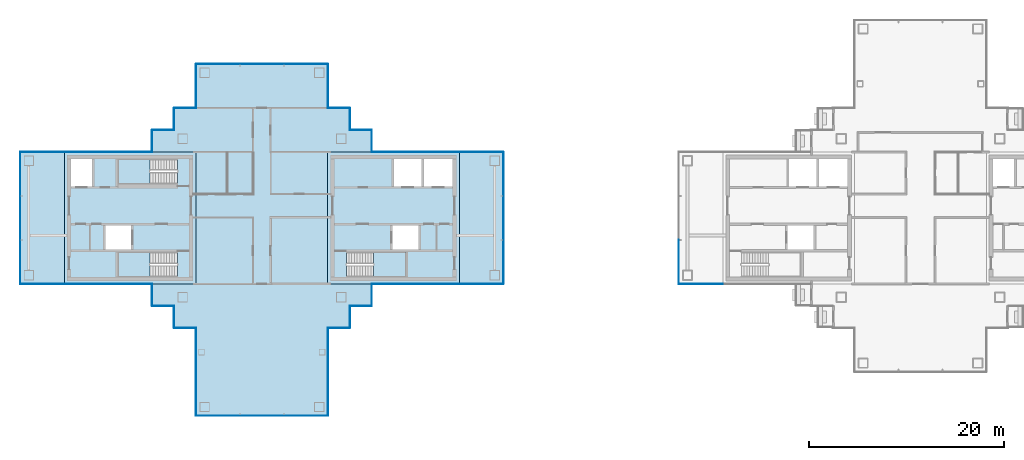
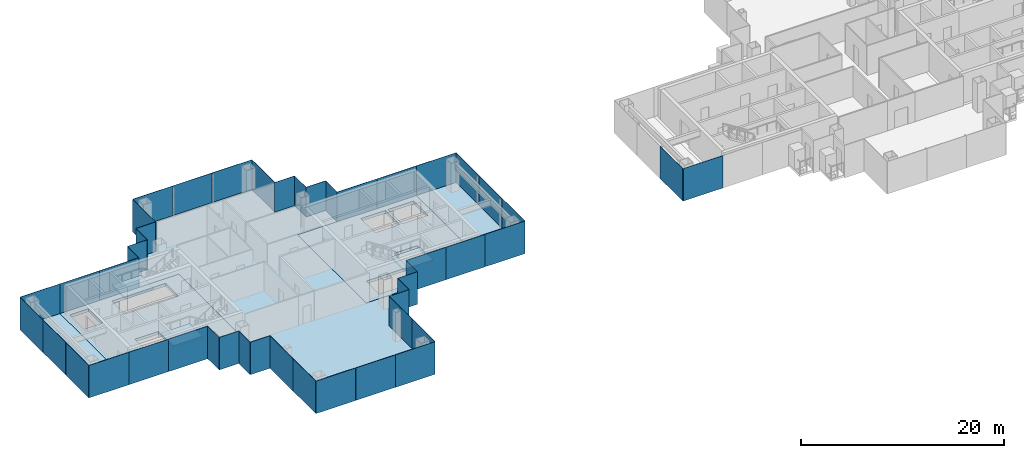
# One storey, part 7 of 16: 48 plates, 8 slabs, 25 elements without a shape of their own.
"""IFC4 building model written with IfcOpenShell, lengths in metres."""

from ifc_helpers import new_model, si_unit, direction, frame, origin, origin_2d, place, context, subcontext, project, spatial, polyline, rectangle, outline, extrude, material, layer, layer_set, type_object, element, aggregate, save


model = new_model("IFC4")

# Units and contexts
model_context = context("Model", 3, precision=1e-05, world=origin(), true_north=direction((0.0, 1.0)))
body_context = subcontext(model_context, "Body", "Model", "MODEL_VIEW")
ifc_project = project(units=[si_unit("LENGTHUNIT", "METRE"), si_unit("AREAUNIT", "SQUARE_METRE"), si_unit("VOLUMEUNIT", "CUBIC_METRE"), si_unit("PLANEANGLEUNIT", "RADIAN"), si_unit("MASSUNIT", "GRAM", prefix="KILO")], contexts=[model_context])

# Site, building, storey
site_placement = place(None, origin())
site = spatial("IfcSite", under=ifc_project, at=site_placement, CompositionType="ELEMENT")
building_placement = place(site_placement, origin())
building = spatial("IfcBuilding", under=site, at=building_placement, Name="Shamsa Quay Exchange Towers", CompositionType="ELEMENT")
storey_placement = place(building_placement, frame((0.0, 0.0, 213.89990234375)))
storey = spatial("IfcBuildingStorey", under=building, at=storey_placement, Name="L51", CompositionType="ELEMENT", Elevation=213.89990234375)

# Slabs
ifc_material_1 = material(Name="Concrete C50/60", Category="concrete")
ifc_layer_1 = layer(ifc_material_1, 0.35009765625)
ifc_layer_set_1 = layer_set([ifc_layer_1], Name="CORE FLOOR 350 C50/60")
slab_type_1 = type_object("IfcSlabType", Name="CORE FLOOR 350 C50/60", PredefinedType="FLOOR", material=ifc_layer_set_1)
slab_1_placement = place(storey_placement, frame((0.0, 0.0, -0.349853515625)))
element("IfcSlab", 1, at=slab_1_placement, inside=storey, type_object=slab_type_1, Name="Core floor T1A", PredefinedType="FLOOR", context=body_context, shape_type="SweptSolid", body=[
    extrude(outline(polyline([(-27.0, -6.75), (-13.5, -6.75), (-13.5, 6.75), (-27.0, 6.75), (-27.0, -6.75)]), holes=[polyline([(-25.099365234375, -6.050048828125), (-25.099365234375, -3.5), (-19.0, -3.5), (-19.0, -6.050048828125), (-25.099365234375, -6.050048828125)]), polyline([(-20.199951171875, 3.25), (-20.199951171875, 6.050048828125), (-17.39990234375, 6.050048828125), (-17.39990234375, 3.25), (-20.199951171875, 3.25)]), polyline([(-17.14990234375, 3.25), (-17.14990234375, 6.050048828125), (-14.199951171875, 6.050048828125), (-14.199951171875, 3.25), (-17.14990234375, 3.25)]), polyline([(-20.35009765625, -3.25), (-20.35009765625, -0.75), (-17.699951171875, -0.75), (-17.699951171875, -3.25), (-20.35009765625, -3.25)])]), origin(), (0.0, 0.0, 1.0), 0.349853515625),
])
slab_2_placement = place(storey_placement, frame((0.0, 0.0, -0.349853515625)))
element("IfcSlab", 2, at=slab_2_placement, inside=storey, type_object=slab_type_1, Name="Core floor T1B", PredefinedType="FLOOR", context=body_context, shape_type="SweptSolid", body=[
    extrude(outline(polyline([(-40.5, -6.75), (-40.5, 6.75), (-54.0, 6.75), (-54.0, -6.75), (-40.5, -6.75)]), holes=[polyline([(-42.400634765625, -3.5), (-42.400634765625, -6.050048828125), (-48.5, -6.050048828125), (-48.5, -3.5), (-42.400634765625, -3.5)]), polyline([(-42.400634765625, 6.050048828125), (-42.400634765625, 3.5), (-48.5, 3.5), (-48.5, 6.050048828125), (-42.400634765625, 6.050048828125)]), polyline([(-51.14990234375, 3.25), (-53.300048828125, 3.25), (-53.300048828125, 6.050048828125), (-51.14990234375, 6.050048828125), (-51.14990234375, 3.25)]), polyline([(-47.14990234375, -3.25), (-49.800048828125, -3.25), (-49.800048828125, -0.75), (-47.14990234375, -0.75), (-47.14990234375, -3.25)])]), origin(), (0.0, 0.0, 1.0), 0.349853515625),
])

# Stair, slab
ifc_material_2 = material(Name="Concrete C40/50", Category="concrete")
stair_type = type_object("IfcStairType", Name="EXIT STAIR 22 RISERS 177 MM", PredefinedType="HALF_TURN_STAIR", material=ifc_material_2)
stair_1_placement = place(storey_placement, origin())
stair_1 = element("IfcStair", 3, at=stair_1_placement, inside=storey, type_object=stair_type, Name="L51 Exit stair ST1", PredefinedType="HALF_TURN_STAIR")
ifc_layer_2 = layer(ifc_material_2, 0.199951171875)
ifc_layer_set_2 = layer_set([ifc_layer_2], Name="CORE STAIR LANDING")
slab_type_2 = type_object("IfcSlabType", Name="CORE STAIR LANDING", PredefinedType="LANDING", material=ifc_layer_set_2)
slab_3_placement = place(storey_placement, frame((0.0, 0.0, 1.75)))
slab_3 = element("IfcSlab", 4, at=slab_3_placement, type_object=slab_type_2, Name="ST1 landing 1", PredefinedType="LANDING", context=body_context, shape_type="SweptSolid", body=[
    extrude(outline(polyline([(-22.300048828125, -6.050048828125), (-19.0, -6.050048828125), (-19.0, -3.5), (-22.300048828125, -3.5), (-22.300048828125, -6.050048828125)])), origin(), (0.0, 0.0, 1.0), 0.2001953125),
])
aggregate(stair_1, [slab_3])

stair_2_placement = place(storey_placement, origin())
stair_2 = element("IfcStair", 5, at=stair_2_placement, inside=storey, type_object=stair_type, Name="L51 Exit stair ST2", PredefinedType="HALF_TURN_STAIR")
slab_4_placement = place(storey_placement, frame((0.0, 0.0, 1.75)))
slab_4 = element("IfcSlab", 6, at=slab_4_placement, type_object=slab_type_2, Name="ST2 landing 1", PredefinedType="LANDING", context=body_context, shape_type="SweptSolid", body=[
    extrude(outline(polyline([(-45.199951171875, -3.5), (-48.5, -3.5), (-48.5, -6.050048828125), (-45.199951171875, -6.050048828125), (-45.199951171875, -3.5)])), origin(), (0.0, 0.0, 1.0), 0.2001953125),
])
aggregate(stair_2, [slab_4])

stair_3_placement = place(storey_placement, origin())
stair_3 = element("IfcStair", 7, at=stair_3_placement, inside=storey, type_object=stair_type, Name="L51 Exit stair ST3", PredefinedType="HALF_TURN_STAIR")
slab_5_placement = place(storey_placement, frame((0.0, 0.0, 1.75)))
slab_5 = element("IfcSlab", 8, at=slab_5_placement, type_object=slab_type_2, Name="ST3 landing 1", PredefinedType="LANDING", context=body_context, shape_type="SweptSolid", body=[
    extrude(outline(polyline([(-45.199951171875, 6.050048828125), (-48.5, 6.050048828125), (-48.5, 3.5), (-45.199951171875, 3.5), (-45.199951171875, 6.050048828125)])), origin(), (0.0, 0.0, 1.0), 0.2001953125),
])
aggregate(stair_3, [slab_5])

# Curtain wall, plates
ifc_material_3 = material(Name="Aluminium EN AW-6063 T6, black anodised", Category="aluminium")
ifc_layer_3 = layer(ifc_material_3, 0.280029296875)
ifc_layer_set_3 = layer_set([ifc_layer_3], Name="CW-1 UNITISED VISION GLASS")
curtain_wall_type_1 = type_object("IfcCurtainWallType", Name="CW-1 UNITISED VISION GLASS", PredefinedType="NOTDEFINED", material=ifc_layer_set_3)
curtain_wall_1_placement = place(storey_placement, origin())
curtain_wall_1 = element("IfcCurtainWall", 9, at=curtain_wall_1_placement, inside=storey, type_object=curtain_wall_type_1, Name="CW1 T1-FLK-V-W L51", PredefinedType="NOTDEFINED")
ifc_material_4 = material(Name="Glass, laminated, dark tinted", Category="glass")
ifc_layer_4 = layer(ifc_material_4, 0.0400390625)
ifc_layer_set_4 = layer_set([ifc_layer_4], Name="CW-1 VISION GLASS 40")
plate_type_1 = type_object("IfcPlateType", Name="CW-1 VISION GLASS 40", PredefinedType="CURTAIN_PANEL", material=ifc_layer_set_4)
plate_1_placement = place(storey_placement, frame((-40.52001953125, -13.52587890625, -0.349853515625), z_axis=(0.0, 0.0, 1.0), x_axis=(0.0, -1.0, 0.0)))
plate_1 = element("IfcPlate", 10, at=plate_1_placement, type_object=plate_type_1, Name="CW1 glass panel", PredefinedType="CURTAIN_PANEL", context=body_context, shape_type="SweptSolid", body=[
    extrude(rectangle(XDim=4.47607421875, YDim=0.0400390625, at=origin_2d()), origin(), (0.0, 0.0, 1.0), 3.89990234375),
])
plate_2_placement = place(storey_placement, frame((-40.52001953125, -18.011962890625, -0.349853515625), z_axis=(0.0, 0.0, 1.0), x_axis=(0.0, -1.0, 0.0)))
plate_2 = element("IfcPlate", 11, at=plate_2_placement, type_object=plate_type_1, Name="CW1 glass panel", PredefinedType="CURTAIN_PANEL", context=body_context, shape_type="SweptSolid", body=[
    extrude(rectangle(XDim=4.47607421875, YDim=0.0400390625, at=origin_2d()), origin(), (0.0, 0.0, 1.0), 3.89990234375),
])
aggregate(curtain_wall_1, [plate_1, plate_2])

curtain_wall_2_placement = place(storey_placement, origin())
curtain_wall_2 = element("IfcCurtainWall", 12, at=curtain_wall_2_placement, inside=storey, type_object=curtain_wall_type_1, Name="CW1 T1-END-V- L51", PredefinedType="NOTDEFINED")
plate_3_placement = place(storey_placement, frame((-38.25244140625, -20.27001953125, -0.349853515625)))
plate_3 = element("IfcPlate", 13, at=plate_3_placement, type_object=plate_type_1, Name="CW1 glass panel", PredefinedType="CURTAIN_PANEL", context=body_context, shape_type="SweptSolid", body=[
    extrude(rectangle(XDim=4.4951171875, YDim=0.0400390625, at=origin_2d()), origin(), (0.0, 0.0, 1.0), 3.89990234375),
])
plate_4_placement = place(storey_placement, frame((-33.75, -20.27001953125, -0.349853515625)))
plate_4 = element("IfcPlate", 14, at=plate_4_placement, type_object=plate_type_1, Name="CW1 glass panel", PredefinedType="CURTAIN_PANEL", context=body_context, shape_type="SweptSolid", body=[
    extrude(rectangle(XDim=4.489990234375, YDim=0.0400390625, at=origin_2d()), origin(), (0.0, 0.0, 1.0), 3.89990234375),
])
plate_5_placement = place(storey_placement, frame((-29.24755859375, -20.27001953125, -0.349853515625)))
plate_5 = element("IfcPlate", 15, at=plate_5_placement, type_object=plate_type_1, Name="CW1 glass panel", PredefinedType="CURTAIN_PANEL", context=body_context, shape_type="SweptSolid", body=[
    extrude(rectangle(XDim=4.4951171875, YDim=0.0400390625, at=origin_2d()), origin(), (0.0, 0.0, 1.0), 3.89990234375),
])
aggregate(curtain_wall_2, [plate_3, plate_4, plate_5])

curtain_wall_3_placement = place(storey_placement, origin())
curtain_wall_3 = element("IfcCurtainWall", 16, at=curtain_wall_3_placement, inside=storey, type_object=curtain_wall_type_1, Name="CW1 T1-FLK-V-E L51", PredefinedType="NOTDEFINED")
plate_6_placement = place(storey_placement, frame((-26.97998046875, -18.00244140625, -0.349853515625), z_axis=(0.0, 0.0, 1.0), x_axis=(0.0, 1.0, 0.0)))
plate_6 = element("IfcPlate", 17, at=plate_6_placement, type_object=plate_type_1, Name="CW1 glass panel", PredefinedType="CURTAIN_PANEL", context=body_context, shape_type="SweptSolid", body=[
    extrude(rectangle(XDim=4.4951171875, YDim=0.0400390625, at=origin_2d()), origin(), (0.0, 0.0, 1.0), 3.89990234375),
])
plate_7_placement = place(storey_placement, frame((-26.97998046875, -13.49755859375, -0.349853515625), z_axis=(0.0, 0.0, 1.0), x_axis=(0.0, 1.0, 0.0)))
plate_7 = element("IfcPlate", 18, at=plate_7_placement, type_object=plate_type_1, Name="CW1 glass panel", PredefinedType="CURTAIN_PANEL", context=body_context, shape_type="SweptSolid", body=[
    extrude(rectangle(XDim=4.4951171875, YDim=0.0400390625, at=origin_2d()), origin(), (0.0, 0.0, 1.0), 3.89990234375),
])
aggregate(curtain_wall_3, [plate_6, plate_7])

# Curtain wall, plate
curtain_wall_4_placement = place(storey_placement, origin())
curtain_wall_4 = element("IfcCurtainWall", 19, at=curtain_wall_4_placement, inside=storey, type_object=curtain_wall_type_1, Name="CW1 T1-FLK-U+S L51", PredefinedType="NOTDEFINED")
plate_8_placement = place(storey_placement, frame((-11.25, -6.77001953125, -0.349853515625)))
plate_8 = element("IfcPlate", 20, at=plate_8_placement, type_object=plate_type_1, Name="CW1 glass panel", PredefinedType="CURTAIN_PANEL", context=body_context, shape_type="SweptSolid", body=[
    extrude(rectangle(XDim=4.5, YDim=0.0400390625, at=origin_2d()), origin(), (0.0, 0.0, 1.0), 3.89990234375),
])
aggregate(curtain_wall_4, [plate_8])

# Curtain wall, plates
curtain_wall_5_placement = place(storey_placement, origin())
curtain_wall_5 = element("IfcCurtainWall", 21, at=curtain_wall_5_placement, inside=storey, type_object=curtain_wall_type_1, Name="CW1 T1-END-U+ L51", PredefinedType="NOTDEFINED")
plate_9_placement = place(storey_placement, frame((-8.97998046875, -4.50244140625, -0.349853515625), z_axis=(0.0, 0.0, 1.0), x_axis=(0.0, 1.0, 0.0)))
plate_9 = element("IfcPlate", 22, at=plate_9_placement, type_object=plate_type_1, Name="CW1 glass panel", PredefinedType="CURTAIN_PANEL", context=body_context, shape_type="SweptSolid", body=[
    extrude(rectangle(XDim=4.4951171875, YDim=0.0400390625, at=origin_2d()), origin(), (0.0, 0.0, 1.0), 3.89990234375),
])
plate_10_placement = place(storey_placement, frame((-8.97998046875, 0.0, -0.349853515625), z_axis=(0.0, 0.0, 1.0), x_axis=(0.0, 1.0, 0.0)))
plate_10 = element("IfcPlate", 23, at=plate_10_placement, type_object=plate_type_1, Name="CW1 glass panel", PredefinedType="CURTAIN_PANEL", context=body_context, shape_type="SweptSolid", body=[
    extrude(rectangle(XDim=4.489990234375, YDim=0.0400390625, at=origin_2d()), origin(), (0.0, 0.0, 1.0), 3.89990234375),
])
plate_11_placement = place(storey_placement, frame((-8.97998046875, 4.50244140625, -0.349853515625), z_axis=(0.0, 0.0, 1.0), x_axis=(0.0, 1.0, 0.0)))
plate_11 = element("IfcPlate", 24, at=plate_11_placement, type_object=plate_type_1, Name="CW1 glass panel", PredefinedType="CURTAIN_PANEL", context=body_context, shape_type="SweptSolid", body=[
    extrude(rectangle(XDim=4.4951171875, YDim=0.0400390625, at=origin_2d()), origin(), (0.0, 0.0, 1.0), 3.89990234375),
])
aggregate(curtain_wall_5, [plate_9, plate_10, plate_11])

# Curtain wall, plate
curtain_wall_6_placement = place(storey_placement, origin())
curtain_wall_6 = element("IfcCurtainWall", 25, at=curtain_wall_6_placement, inside=storey, type_object=curtain_wall_type_1, Name="CW1 T1-FLK-U+N L51", PredefinedType="NOTDEFINED")
plate_12_placement = place(storey_placement, frame((-11.25, 6.77001953125, -0.349853515625), z_axis=(0.0, 0.0, 1.0), x_axis=(-1.0, 0.0, 0.0)))
plate_12 = element("IfcPlate", 26, at=plate_12_placement, type_object=plate_type_1, Name="CW1 glass panel", PredefinedType="CURTAIN_PANEL", context=body_context, shape_type="SweptSolid", body=[
    extrude(rectangle(XDim=4.5, YDim=0.0400390625, at=origin_2d()), origin(), (0.0, 0.0, 1.0), 3.89990234375),
])
aggregate(curtain_wall_6, [plate_12])

curtain_wall_7_placement = place(storey_placement, origin())
curtain_wall_7 = element("IfcCurtainWall", 27, at=curtain_wall_7_placement, inside=storey, type_object=curtain_wall_type_1, Name="CW1 T1-FLK-V+E L51", PredefinedType="NOTDEFINED")
plate_13_placement = place(storey_placement, frame((-26.97998046875, 13.51904296875, -0.349853515625), z_axis=(0.0, 0.0, 1.0), x_axis=(0.0, 1.0, 0.0)))
plate_13 = element("IfcPlate", 28, at=plate_13_placement, type_object=plate_type_1, Name="CW1 glass panel", PredefinedType="CURTAIN_PANEL", context=body_context, shape_type="SweptSolid", body=[
    extrude(rectangle(XDim=4.4619140625, YDim=0.0400390625, at=origin_2d()), origin(), (0.0, 0.0, 1.0), 3.89990234375),
])
aggregate(curtain_wall_7, [plate_13])

# Curtain wall, plates
curtain_wall_8_placement = place(storey_placement, origin())
curtain_wall_8 = element("IfcCurtainWall", 29, at=curtain_wall_8_placement, inside=storey, type_object=curtain_wall_type_1, Name="CW1 T1-END-V+ L51", PredefinedType="NOTDEFINED")
plate_14_placement = place(storey_placement, frame((-29.24755859375, 15.77001953125, -0.349853515625), z_axis=(0.0, 0.0, 1.0), x_axis=(-1.0, 0.0, 0.0)))
plate_14 = element("IfcPlate", 30, at=plate_14_placement, type_object=plate_type_1, Name="CW1 glass panel", PredefinedType="CURTAIN_PANEL", context=body_context, shape_type="SweptSolid", body=[
    extrude(rectangle(XDim=4.4951171875, YDim=0.0400390625, at=origin_2d()), origin(), (0.0, 0.0, 1.0), 3.89990234375),
])
plate_15_placement = place(storey_placement, frame((-33.75, 15.77001953125, -0.349853515625), z_axis=(0.0, 0.0, 1.0), x_axis=(-1.0, 0.0, 0.0)))
plate_15 = element("IfcPlate", 31, at=plate_15_placement, type_object=plate_type_1, Name="CW1 glass panel", PredefinedType="CURTAIN_PANEL", context=body_context, shape_type="SweptSolid", body=[
    extrude(rectangle(XDim=4.489990234375, YDim=0.0400390625, at=origin_2d()), origin(), (0.0, 0.0, 1.0), 3.89990234375),
])
plate_16_placement = place(storey_placement, frame((-38.25244140625, 15.77001953125, -0.349853515625), z_axis=(0.0, 0.0, 1.0), x_axis=(-1.0, 0.0, 0.0)))
plate_16 = element("IfcPlate", 32, at=plate_16_placement, type_object=plate_type_1, Name="CW1 glass panel", PredefinedType="CURTAIN_PANEL", context=body_context, shape_type="SweptSolid", body=[
    extrude(rectangle(XDim=4.4951171875, YDim=0.0400390625, at=origin_2d()), origin(), (0.0, 0.0, 1.0), 3.89990234375),
])
aggregate(curtain_wall_8, [plate_14, plate_15, plate_16])

# Curtain wall, plate
curtain_wall_9_placement = place(storey_placement, origin())
curtain_wall_9 = element("IfcCurtainWall", 33, at=curtain_wall_9_placement, inside=storey, type_object=curtain_wall_type_1, Name="CW1 T1-FLK-V+W L51", PredefinedType="NOTDEFINED")
plate_17_placement = place(storey_placement, frame((-40.52001953125, 13.5, -0.349853515625), z_axis=(0.0, 0.0, 1.0), x_axis=(0.0, -1.0, 0.0)))
plate_17 = element("IfcPlate", 34, at=plate_17_placement, type_object=plate_type_1, Name="CW1 glass panel", PredefinedType="CURTAIN_PANEL", context=body_context, shape_type="SweptSolid", body=[
    extrude(rectangle(XDim=4.5, YDim=0.0400390625, at=origin_2d()), origin(), (0.0, 0.0, 1.0), 3.89990234375),
])
aggregate(curtain_wall_9, [plate_17])

curtain_wall_10_placement = place(storey_placement, origin())
curtain_wall_10 = element("IfcCurtainWall", 35, at=curtain_wall_10_placement, inside=storey, type_object=curtain_wall_type_1, Name="CW1 T1-FLK-U-N L51", PredefinedType="NOTDEFINED")
plate_18_placement = place(storey_placement, frame((-56.25, 6.77001953125, -0.349853515625), z_axis=(0.0, 0.0, 1.0), x_axis=(-1.0, 0.0, 0.0)))
plate_18 = element("IfcPlate", 36, at=plate_18_placement, type_object=plate_type_1, Name="CW1 glass panel", PredefinedType="CURTAIN_PANEL", context=body_context, shape_type="SweptSolid", body=[
    extrude(rectangle(XDim=4.5, YDim=0.0400390625, at=origin_2d()), origin(), (0.0, 0.0, 1.0), 3.89990234375),
])
aggregate(curtain_wall_10, [plate_18])

# Curtain wall, plates
curtain_wall_11_placement = place(storey_placement, origin())
curtain_wall_11 = element("IfcCurtainWall", 37, at=curtain_wall_11_placement, inside=storey, type_object=curtain_wall_type_1, Name="CW1 T1-END-U- L51", PredefinedType="NOTDEFINED")
plate_19_placement = place(storey_placement, frame((-58.52001953125, 4.50244140625, -0.349853515625), z_axis=(0.0, 0.0, 1.0), x_axis=(0.0, -1.0, 0.0)))
plate_19 = element("IfcPlate", 38, at=plate_19_placement, type_object=plate_type_1, Name="CW1 glass panel", PredefinedType="CURTAIN_PANEL", context=body_context, shape_type="SweptSolid", body=[
    extrude(rectangle(XDim=4.4951171875, YDim=0.0400390625, at=origin_2d()), origin(), (0.0, 0.0, 1.0), 3.89990234375),
])
plate_20_placement = place(storey_placement, frame((-58.52001953125, 0.0, -0.349853515625), z_axis=(0.0, 0.0, 1.0), x_axis=(0.0, -1.0, 0.0)))
plate_20 = element("IfcPlate", 39, at=plate_20_placement, type_object=plate_type_1, Name="CW1 glass panel", PredefinedType="CURTAIN_PANEL", context=body_context, shape_type="SweptSolid", body=[
    extrude(rectangle(XDim=4.489990234375, YDim=0.0400390625, at=origin_2d()), origin(), (0.0, 0.0, 1.0), 3.89990234375),
])
plate_21_placement = place(storey_placement, frame((-58.52001953125, -4.50244140625, -0.349853515625), z_axis=(0.0, 0.0, 1.0), x_axis=(0.0, -1.0, 0.0)))
plate_21 = element("IfcPlate", 40, at=plate_21_placement, type_object=plate_type_1, Name="CW1 glass panel", PredefinedType="CURTAIN_PANEL", context=body_context, shape_type="SweptSolid", body=[
    extrude(rectangle(XDim=4.4951171875, YDim=0.0400390625, at=origin_2d()), origin(), (0.0, 0.0, 1.0), 3.89990234375),
])
aggregate(curtain_wall_11, [plate_19, plate_20, plate_21])

# Curtain wall, plate
curtain_wall_12_placement = place(storey_placement, origin())
curtain_wall_12 = element("IfcCurtainWall", 41, at=curtain_wall_12_placement, inside=storey, type_object=curtain_wall_type_1, Name="CW1 T1-FLK-U-S L51", PredefinedType="NOTDEFINED")
plate_22_placement = place(storey_placement, frame((-56.25, -6.77001953125, -0.349853515625)))
plate_22 = element("IfcPlate", 42, at=plate_22_placement, type_object=plate_type_1, Name="CW1 glass panel", PredefinedType="CURTAIN_PANEL", context=body_context, shape_type="SweptSolid", body=[
    extrude(rectangle(XDim=4.5, YDim=0.0400390625, at=origin_2d()), origin(), (0.0, 0.0, 1.0), 3.89990234375),
])
aggregate(curtain_wall_12, [plate_22])

curtain_wall_13_placement = place(storey_placement, origin())
curtain_wall_13 = element("IfcCurtainWall", 43, at=curtain_wall_13_placement, inside=storey, type_object=curtain_wall_type_1, Name="CW1 T2-END-V+ L51", PredefinedType="NOTDEFINED")
plate_23_placement = place(storey_placement, frame((8.97998046875, -4.50244140625, -0.349853515625), z_axis=(0.0, 0.0, 1.0), x_axis=(0.0, -1.0, 0.0)))
plate_23 = element("IfcPlate", 44, at=plate_23_placement, type_object=plate_type_1, Name="CW1 glass panel", PredefinedType="CURTAIN_PANEL", context=body_context, shape_type="SweptSolid", body=[
    extrude(rectangle(XDim=4.4951171875, YDim=0.0400390625, at=origin_2d()), origin(), (0.0, 0.0, 1.0), 3.89990234375),
])
aggregate(curtain_wall_13, [plate_23])

curtain_wall_14_placement = place(storey_placement, origin())
curtain_wall_14 = element("IfcCurtainWall", 45, at=curtain_wall_14_placement, inside=storey, type_object=curtain_wall_type_1, Name="CW1 T2-FLK-V+W L51", PredefinedType="NOTDEFINED")
plate_24_placement = place(storey_placement, frame((11.25, -6.77001953125, -0.349853515625)))
plate_24 = element("IfcPlate", 46, at=plate_24_placement, type_object=plate_type_1, Name="CW1 glass panel", PredefinedType="CURTAIN_PANEL", context=body_context, shape_type="SweptSolid", body=[
    extrude(rectangle(XDim=4.5, YDim=0.0400390625, at=origin_2d()), origin(), (0.0, 0.0, 1.0), 3.89990234375),
])
aggregate(curtain_wall_14, [plate_24])

# Curtain wall, plates
ifc_layer_5 = layer(ifc_material_3, 0.303955078125)
ifc_layer_set_5 = layer_set([ifc_layer_5], Name="CW-2 UNITISED OPAQUE SPANDREL GLASS")
curtain_wall_type_2 = type_object("IfcCurtainWallType", Name="CW-2 UNITISED OPAQUE SPANDREL GLASS", PredefinedType="NOTDEFINED", material=ifc_layer_set_5)
curtain_wall_15_placement = place(storey_placement, origin())
curtain_wall_15 = element("IfcCurtainWall", 47, at=curtain_wall_15_placement, inside=storey, type_object=curtain_wall_type_2, Name="CW2 T1-FLK-U+S L51", PredefinedType="NOTDEFINED")
ifc_material_5 = material(Name="Glass, laminated, black enamelled opaque", Category="glass")
ifc_layer_6 = layer(ifc_material_5, 0.0439453125)
ifc_layer_set_6 = layer_set([ifc_layer_6], Name="CW-2 SPANDREL GLASS 44")
plate_type_2 = type_object("IfcPlateType", Name="CW-2 SPANDREL GLASS 44", PredefinedType="CURTAIN_PANEL", material=ifc_layer_set_6)
plate_25_placement = place(storey_placement, frame((-20.22412109375, -6.77197265625, -0.349853515625)))
plate_25 = element("IfcPlate", 48, at=plate_25_placement, type_object=plate_type_2, Name="CW2 glass panel", PredefinedType="CURTAIN_PANEL", context=body_context, shape_type="SweptSolid", body=[
    extrude(rectangle(XDim=4.47607421875, YDim=0.0439453125, at=origin_2d()), origin(), (0.0, 0.0, 1.0), 3.89990234375),
])
plate_26_placement = place(storey_placement, frame((-15.738037109375, -6.77197265625, -0.349853515625)))
plate_26 = element("IfcPlate", 49, at=plate_26_placement, type_object=plate_type_2, Name="CW2 glass panel", PredefinedType="CURTAIN_PANEL", context=body_context, shape_type="SweptSolid", body=[
    extrude(rectangle(XDim=4.47607421875, YDim=0.0439453125, at=origin_2d()), origin(), (0.0, 0.0, 1.0), 3.89990234375),
])
aggregate(curtain_wall_15, [plate_25, plate_26])

curtain_wall_16_placement = place(storey_placement, origin())
curtain_wall_16 = element("IfcCurtainWall", 50, at=curtain_wall_16_placement, inside=storey, type_object=curtain_wall_type_2, Name="CW2 T1-FLK-U+N L51", PredefinedType="NOTDEFINED")
plate_27_placement = place(storey_placement, frame((-15.74755859375, 6.77197265625, -0.349853515625), z_axis=(0.0, 0.0, 1.0), x_axis=(-1.0, 0.0, 0.0)))
plate_27 = element("IfcPlate", 51, at=plate_27_placement, type_object=plate_type_2, Name="CW2 glass panel", PredefinedType="CURTAIN_PANEL", context=body_context, shape_type="SweptSolid", body=[
    extrude(rectangle(XDim=4.4951171875, YDim=0.0439453125, at=origin_2d()), origin(), (0.0, 0.0, 1.0), 3.89990234375),
])
plate_28_placement = place(storey_placement, frame((-20.25244140625, 6.77197265625, -0.349853515625), z_axis=(0.0, 0.0, 1.0), x_axis=(-1.0, 0.0, 0.0)))
plate_28 = element("IfcPlate", 52, at=plate_28_placement, type_object=plate_type_2, Name="CW2 glass panel", PredefinedType="CURTAIN_PANEL", context=body_context, shape_type="SweptSolid", body=[
    extrude(rectangle(XDim=4.4951171875, YDim=0.0439453125, at=origin_2d()), origin(), (0.0, 0.0, 1.0), 3.89990234375),
])
aggregate(curtain_wall_16, [plate_27, plate_28])

curtain_wall_17_placement = place(storey_placement, origin())
curtain_wall_17 = element("IfcCurtainWall", 53, at=curtain_wall_17_placement, inside=storey, type_object=curtain_wall_type_2, Name="CW2 T1-FLK-U-N L51", PredefinedType="NOTDEFINED")
plate_29_placement = place(storey_placement, frame((-47.27587890625, 6.77197265625, -0.349853515625), z_axis=(0.0, 0.0, 1.0), x_axis=(-1.0, 0.0, 0.0)))
plate_29 = element("IfcPlate", 54, at=plate_29_placement, type_object=plate_type_2, Name="CW2 glass panel", PredefinedType="CURTAIN_PANEL", context=body_context, shape_type="SweptSolid", body=[
    extrude(rectangle(XDim=4.47607421875, YDim=0.0439453125, at=origin_2d()), origin(), (0.0, 0.0, 1.0), 3.89990234375),
])
plate_30_placement = place(storey_placement, frame((-51.761962890625, 6.77197265625, -0.349853515625), z_axis=(0.0, 0.0, 1.0), x_axis=(-1.0, 0.0, 0.0)))
plate_30 = element("IfcPlate", 55, at=plate_30_placement, type_object=plate_type_2, Name="CW2 glass panel", PredefinedType="CURTAIN_PANEL", context=body_context, shape_type="SweptSolid", body=[
    extrude(rectangle(XDim=4.47607421875, YDim=0.0439453125, at=origin_2d()), origin(), (0.0, 0.0, 1.0), 3.89990234375),
])
aggregate(curtain_wall_17, [plate_29, plate_30])

curtain_wall_18_placement = place(storey_placement, origin())
curtain_wall_18 = element("IfcCurtainWall", 56, at=curtain_wall_18_placement, inside=storey, type_object=curtain_wall_type_2, Name="CW2 T1-FLK-U-S L51", PredefinedType="NOTDEFINED")
plate_31_placement = place(storey_placement, frame((-51.75244140625, -6.77197265625, -0.349853515625)))
plate_31 = element("IfcPlate", 57, at=plate_31_placement, type_object=plate_type_2, Name="CW2 glass panel", PredefinedType="CURTAIN_PANEL", context=body_context, shape_type="SweptSolid", body=[
    extrude(rectangle(XDim=4.4951171875, YDim=0.0439453125, at=origin_2d()), origin(), (0.0, 0.0, 1.0), 3.89990234375),
])
plate_32_placement = place(storey_placement, frame((-47.24755859375, -6.77197265625, -0.349853515625)))
plate_32 = element("IfcPlate", 58, at=plate_32_placement, type_object=plate_type_2, Name="CW2 glass panel", PredefinedType="CURTAIN_PANEL", context=body_context, shape_type="SweptSolid", body=[
    extrude(rectangle(XDim=4.4951171875, YDim=0.0439453125, at=origin_2d()), origin(), (0.0, 0.0, 1.0), 3.89990234375),
])
aggregate(curtain_wall_18, [plate_31, plate_32])

ifc_layer_7 = layer(ifc_material_3, 0.256103515625)
ifc_layer_set_7 = layer_set([ifc_layer_7], Name="CW-4 POCKET SERRATED GLAZING")
curtain_wall_type_3 = type_object("IfcCurtainWallType", Name="CW-4 POCKET SERRATED GLAZING", PredefinedType="NOTDEFINED", material=ifc_layer_set_7)
curtain_wall_19_placement = place(storey_placement, origin())
curtain_wall_19 = element("IfcCurtainWall", 59, at=curtain_wall_19_placement, inside=storey, type_object=curtain_wall_type_3, Name="CW4 PKWS L51", PredefinedType="NOTDEFINED")
ifc_layer_8 = layer(ifc_material_4, 0.035888671875)
ifc_layer_set_8 = layer_set([ifc_layer_8], Name="CW-4 POCKET GLASS 36")
plate_type_3 = type_object("IfcPlateType", Name="CW-4 POCKET GLASS 36", PredefinedType="CURTAIN_PANEL", material=ifc_layer_set_8)
plate_33_placement = place(storey_placement, frame((-42.76806640625, -10.14404296875, -0.349853515625), z_axis=(0.0, 0.0, 1.0), x_axis=(0.0, -1.0, 0.0)))
plate_33 = element("IfcPlate", 60, at=plate_33_placement, type_object=plate_type_3, Name="CW4 glass panel", PredefinedType="CURTAIN_PANEL", context=body_context, shape_type="SweptSolid", body=[
    extrude(rectangle(XDim=2.2119140625, YDim=0.035888671875, at=origin_2d()), origin(), (0.0, 0.0, 1.0), 3.89990234375),
])
plate_34_placement = place(storey_placement, frame((-41.625, -11.26806640625, -0.349853515625)))
plate_34 = element("IfcPlate", 61, at=plate_34_placement, type_object=plate_type_3, Name="CW4 glass panel", PredefinedType="CURTAIN_PANEL", context=body_context, shape_type="SweptSolid", body=[
    extrude(rectangle(XDim=2.25, YDim=0.035888671875, at=origin_2d()), origin(), (0.0, 0.0, 1.0), 3.89990234375),
])
plate_35_placement = place(storey_placement, frame((-45.01806640625, -7.89794921875, -0.349853515625), z_axis=(0.0, 0.0, 1.0), x_axis=(0.0, -1.0, 0.0)))
plate_35 = element("IfcPlate", 62, at=plate_35_placement, type_object=plate_type_3, Name="CW4 glass panel", PredefinedType="CURTAIN_PANEL", context=body_context, shape_type="SweptSolid", body=[
    extrude(rectangle(XDim=2.2041015625, YDim=0.035888671875, at=origin_2d()), origin(), (0.0, 0.0, 1.0), 3.89990234375),
])
plate_36_placement = place(storey_placement, frame((-43.875, -9.01806640625, -0.349853515625)))
plate_36 = element("IfcPlate", 63, at=plate_36_placement, type_object=plate_type_3, Name="CW4 glass panel", PredefinedType="CURTAIN_PANEL", context=body_context, shape_type="SweptSolid", body=[
    extrude(rectangle(XDim=2.25, YDim=0.035888671875, at=origin_2d()), origin(), (0.0, 0.0, 1.0), 3.89990234375),
])
aggregate(curtain_wall_19, [plate_33, plate_34, plate_35, plate_36])

curtain_wall_20_placement = place(storey_placement, origin())
curtain_wall_20 = element("IfcCurtainWall", 64, at=curtain_wall_20_placement, inside=storey, type_object=curtain_wall_type_3, Name="CW4 PKES L51", PredefinedType="NOTDEFINED")
plate_37_placement = place(storey_placement, frame((-25.85400390625, -11.26806640625, -0.349853515625)))
plate_37 = element("IfcPlate", 65, at=plate_37_placement, type_object=plate_type_3, Name="CW4 glass panel", PredefinedType="CURTAIN_PANEL", context=body_context, shape_type="SweptSolid", body=[
    extrude(rectangle(XDim=2.2080078125, YDim=0.035888671875, at=origin_2d()), origin(), (0.0, 0.0, 1.0), 3.89990234375),
])
plate_38_placement = place(storey_placement, frame((-24.73193359375, -10.125, -0.349853515625), z_axis=(0.0, 0.0, 1.0), x_axis=(0.0, 1.0, 0.0)))
plate_38 = element("IfcPlate", 66, at=plate_38_placement, type_object=plate_type_3, Name="CW4 glass panel", PredefinedType="CURTAIN_PANEL", context=body_context, shape_type="SweptSolid", body=[
    extrude(rectangle(XDim=2.25, YDim=0.035888671875, at=origin_2d()), origin(), (0.0, 0.0, 1.0), 3.89990234375),
])
plate_39_placement = place(storey_placement, frame((-23.60595703125, -9.01806640625, -0.349853515625)))
plate_39 = element("IfcPlate", 67, at=plate_39_placement, type_object=plate_type_3, Name="CW4 glass panel", PredefinedType="CURTAIN_PANEL", context=body_context, shape_type="SweptSolid", body=[
    extrude(rectangle(XDim=2.2119140625, YDim=0.035888671875, at=origin_2d()), origin(), (0.0, 0.0, 1.0), 3.89990234375),
])
plate_40_placement = place(storey_placement, frame((-22.48193359375, -7.875, -0.349853515625), z_axis=(0.0, 0.0, 1.0), x_axis=(0.0, 1.0, 0.0)))
plate_40 = element("IfcPlate", 68, at=plate_40_placement, type_object=plate_type_3, Name="CW4 glass panel", PredefinedType="CURTAIN_PANEL", context=body_context, shape_type="SweptSolid", body=[
    extrude(rectangle(XDim=2.25, YDim=0.035888671875, at=origin_2d()), origin(), (0.0, 0.0, 1.0), 3.89990234375),
])
aggregate(curtain_wall_20, [plate_37, plate_38, plate_39, plate_40])

curtain_wall_21_placement = place(storey_placement, origin())
curtain_wall_21 = element("IfcCurtainWall", 69, at=curtain_wall_21_placement, inside=storey, type_object=curtain_wall_type_3, Name="CW4 PKEN L51", PredefinedType="NOTDEFINED")
plate_41_placement = place(storey_placement, frame((-22.48193359375, 7.89794921875, -0.349853515625), z_axis=(0.0, 0.0, 1.0), x_axis=(0.0, 1.0, 0.0)))
plate_41 = element("IfcPlate", 70, at=plate_41_placement, type_object=plate_type_3, Name="CW4 glass panel", PredefinedType="CURTAIN_PANEL", context=body_context, shape_type="SweptSolid", body=[
    extrude(rectangle(XDim=2.2041015625, YDim=0.035888671875, at=origin_2d()), origin(), (0.0, 0.0, 1.0), 3.89990234375),
])
plate_42_placement = place(storey_placement, frame((-23.625, 9.01806640625, -0.349853515625), z_axis=(0.0, 0.0, 1.0), x_axis=(-1.0, 0.0, 0.0)))
plate_42 = element("IfcPlate", 71, at=plate_42_placement, type_object=plate_type_3, Name="CW4 glass panel", PredefinedType="CURTAIN_PANEL", context=body_context, shape_type="SweptSolid", body=[
    extrude(rectangle(XDim=2.25, YDim=0.035888671875, at=origin_2d()), origin(), (0.0, 0.0, 1.0), 3.89990234375),
])
plate_43_placement = place(storey_placement, frame((-24.73193359375, 10.14404296875, -0.349853515625), z_axis=(0.0, 0.0, 1.0), x_axis=(0.0, 1.0, 0.0)))
plate_43 = element("IfcPlate", 72, at=plate_43_placement, type_object=plate_type_3, Name="CW4 glass panel", PredefinedType="CURTAIN_PANEL", context=body_context, shape_type="SweptSolid", body=[
    extrude(rectangle(XDim=2.2119140625, YDim=0.035888671875, at=origin_2d()), origin(), (0.0, 0.0, 1.0), 3.89990234375),
])
plate_44_placement = place(storey_placement, frame((-25.875, 11.26806640625, -0.349853515625), z_axis=(0.0, 0.0, 1.0), x_axis=(-1.0, 0.0, 0.0)))
plate_44 = element("IfcPlate", 73, at=plate_44_placement, type_object=plate_type_3, Name="CW4 glass panel", PredefinedType="CURTAIN_PANEL", context=body_context, shape_type="SweptSolid", body=[
    extrude(rectangle(XDim=2.25, YDim=0.035888671875, at=origin_2d()), origin(), (0.0, 0.0, 1.0), 3.89990234375),
])
aggregate(curtain_wall_21, [plate_41, plate_42, plate_43, plate_44])

curtain_wall_22_placement = place(storey_placement, origin())
curtain_wall_22 = element("IfcCurtainWall", 74, at=curtain_wall_22_placement, inside=storey, type_object=curtain_wall_type_3, Name="CW4 PKWN L51", PredefinedType="NOTDEFINED")
plate_45_placement = place(storey_placement, frame((-41.64599609375, 11.26806640625, -0.349853515625), z_axis=(0.0, 0.0, 1.0), x_axis=(-1.0, 0.0, 0.0)))
plate_45 = element("IfcPlate", 75, at=plate_45_placement, type_object=plate_type_3, Name="CW4 glass panel", PredefinedType="CURTAIN_PANEL", context=body_context, shape_type="SweptSolid", body=[
    extrude(rectangle(XDim=2.2080078125, YDim=0.035888671875, at=origin_2d()), origin(), (0.0, 0.0, 1.0), 3.89990234375),
])
plate_46_placement = place(storey_placement, frame((-42.76806640625, 10.125, -0.349853515625), z_axis=(0.0, 0.0, 1.0), x_axis=(0.0, -1.0, 0.0)))
plate_46 = element("IfcPlate", 76, at=plate_46_placement, type_object=plate_type_3, Name="CW4 glass panel", PredefinedType="CURTAIN_PANEL", context=body_context, shape_type="SweptSolid", body=[
    extrude(rectangle(XDim=2.25, YDim=0.035888671875, at=origin_2d()), origin(), (0.0, 0.0, 1.0), 3.89990234375),
])
plate_47_placement = place(storey_placement, frame((-43.89404296875, 9.01806640625, -0.349853515625), z_axis=(0.0, 0.0, 1.0), x_axis=(-1.0, 0.0, 0.0)))
plate_47 = element("IfcPlate", 77, at=plate_47_placement, type_object=plate_type_3, Name="CW4 glass panel", PredefinedType="CURTAIN_PANEL", context=body_context, shape_type="SweptSolid", body=[
    extrude(rectangle(XDim=2.2119140625, YDim=0.035888671875, at=origin_2d()), origin(), (0.0, 0.0, 1.0), 3.89990234375),
])
plate_48_placement = place(storey_placement, frame((-45.01806640625, 7.875, -0.349853515625), z_axis=(0.0, 0.0, 1.0), x_axis=(0.0, -1.0, 0.0)))
plate_48 = element("IfcPlate", 78, at=plate_48_placement, type_object=plate_type_3, Name="CW4 glass panel", PredefinedType="CURTAIN_PANEL", context=body_context, shape_type="SweptSolid", body=[
    extrude(rectangle(XDim=2.25, YDim=0.035888671875, at=origin_2d()), origin(), (0.0, 0.0, 1.0), 3.89990234375),
])
aggregate(curtain_wall_22, [plate_45, plate_46, plate_47, plate_48])

# Slabs
ifc_layer_9 = layer(ifc_material_2, 0.35009765625)
ifc_layer_set_9 = layer_set([ifc_layer_9], Name="Flat slab 350")
slab_type_3 = type_object("IfcSlabType", Name="Flat slab 350", PredefinedType="FLOOR", material=ifc_layer_set_9)
slab_6_placement = place(storey_placement, frame((0.0, 0.0, -0.349853515625)))
element("IfcSlab", 79, at=slab_6_placement, inside=storey, type_object=slab_type_3, Name="Flat slab T1 L51 1", PredefinedType="FLOOR", context=body_context, shape_type="SweptSolid", body=[
    extrude(outline(polyline([(-58.5, -6.75), (-54.0, -6.75), (-54.0, 6.75), (-58.5, 6.75), (-58.5, -6.75)])), origin(), (0.0, 0.0, 1.0), 0.349853515625),
])
slab_7_placement = place(storey_placement, frame((0.0, 0.0, -0.349853515625)))
element("IfcSlab", 80, at=slab_7_placement, inside=storey, type_object=slab_type_3, Name="Flat slab T1 L51 2", PredefinedType="FLOOR", context=body_context, shape_type="SweptSolid", body=[
    extrude(outline(polyline([(-22.5, -9.0), (-22.5, -6.75), (-27.0, -6.75), (-27.0, 6.75), (-22.5, 6.75), (-22.5, 9.0), (-24.75, 9.0), (-24.75, 11.25), (-27.0, 11.25), (-27.0, 15.75), (-40.5, 15.75), (-40.5, 11.25), (-42.75, 11.25), (-42.75, 9.0), (-45.0, 9.0), (-45.0, 6.75), (-40.5, 6.75), (-40.5, -6.75), (-45.0, -6.75), (-45.0, -9.0), (-42.75, -9.0), (-42.75, -11.25), (-40.5, -11.25), (-40.5, -20.25), (-27.0, -20.25), (-27.0, -11.25), (-24.75, -11.25), (-24.75, -9.0), (-22.5, -9.0)])), origin(), (0.0, 0.0, 1.0), 0.349853515625),
])
slab_8_placement = place(storey_placement, frame((0.0, 0.0, -0.349853515625)))
element("IfcSlab", 81, at=slab_8_placement, inside=storey, type_object=slab_type_3, Name="Flat slab T1 L51 3", PredefinedType="FLOOR", context=body_context, shape_type="SweptSolid", body=[
    extrude(outline(polyline([(-9.0, 6.75), (-13.5, 6.75), (-13.5, -6.75), (-9.0, -6.75), (-9.0, 6.75)])), origin(), (0.0, 0.0, 1.0), 0.349853515625),
])

save(model, "model.ifc")
